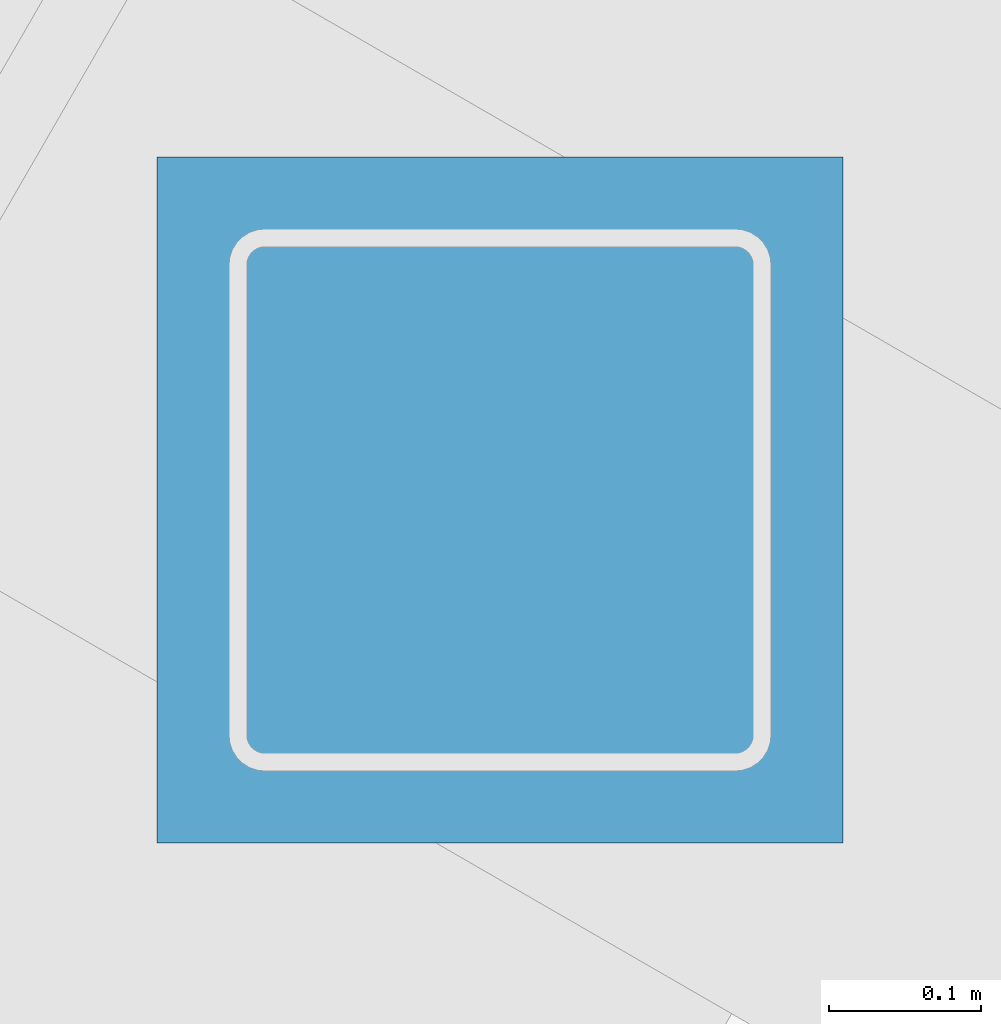
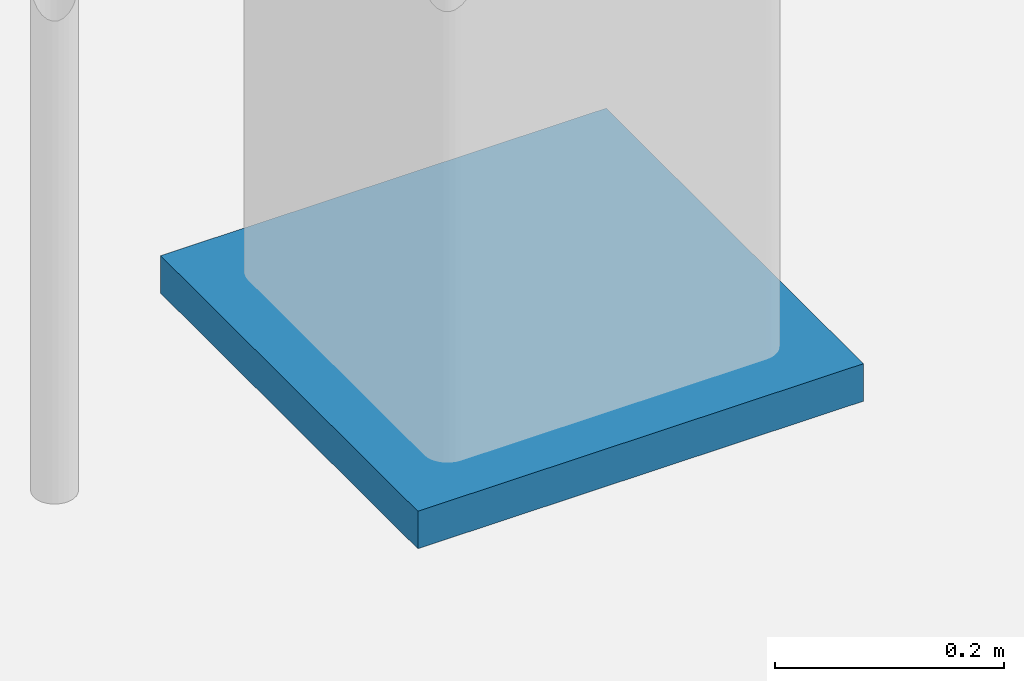
# One storey, part 16 of 20: 1 discrete accessory.
"""IFC4 building model written with IfcOpenShell, lengths in metres."""

import ifcopenshell
import ifcopenshell.guid

model = None  # the IFC model being written
_history = None  # IfcOwnerHistory: only IFC2X3 demands one
_inside = {}  # id of a spatial element -> (the spatial element, [elements in it])
_under = {}  # id of a project, library or spatial element -> (it, [spatial elements below it])
_declared = {}  # id of a project -> (the project, [libraries it declares])
_typed = {}  # id of a type object -> (the type object, [elements of that type])
_made_of = {}  # id of a material, layer set ... -> (it, [elements and type objects made of it])


def new_model(schema):
    """Start an empty IFC model of exactly this schema.

    Asked for "IFC4X3", IfcOpenShell would pick the latest addendum, in which some entities
    have other attributes; the version numbers below select the first issue.
    IFC2X3 requires an IfcOwnerHistory on every rooted entity: one is made here for all.
    """
    global model, _history
    if schema == "IFC4X3":
        model = ifcopenshell.file(schema_version=(4, 3, 0, 0))
    else:
        model = ifcopenshell.file(schema=schema)
    _inside.clear()
    _under.clear()
    _declared.clear()
    _typed.clear()
    _made_of.clear()
    _history = None
    if model.schema == "IFC2X3":
        org = make("IfcOrganization", Name="unknown")
        user = make(
            "IfcPersonAndOrganization",
            ThePerson=make("IfcPerson", FamilyName="unknown"),
            TheOrganization=org,
        )
        app = make(
            "IfcApplication",
            ApplicationDeveloper=org,
            Version="unknown",
            ApplicationFullName="unknown",
            ApplicationIdentifier="unknown",
        )
        _history = make(
            "IfcOwnerHistory",
            OwningUser=user,
            OwningApplication=app,
            ChangeAction="ADDED",
            CreationDate=0,
        )
    return model


def make(cls, **values):
    """One entity of the class cls with the attributes given. An attribute that is None is left unset."""
    return model.create_entity(
        cls, **{name: value for name, value in values.items() if value is not None}
    )


def rooted(cls, **values):
    """An entity with a GlobalId (a new one), such as an element, a storey or a relation."""
    return make(cls, GlobalId=ifcopenshell.guid.new(), OwnerHistory=_history, **values)


def si_unit(unit_type, name, prefix=None):
    """IfcSIUnit, for example si_unit("LENGTHUNIT", "METRE", prefix="MILLI")."""
    return make("IfcSIUnit", UnitType=unit_type, Prefix=prefix, Name=name)


def assignment(units):
    """IfcUnitAssignment: the units of a project."""
    return None if units is None else make("IfcUnitAssignment", Units=units)


def point(xyz):
    """IfcCartesianPoint."""
    return None if xyz is None else make("IfcCartesianPoint", Coordinates=xyz)


def direction(xyz):
    """IfcDirection."""
    return None if xyz is None else make("IfcDirection", DirectionRatios=xyz)


def frame(location, z_axis=None, x_axis=None):
    """IfcAxis2Placement3D, a coordinate frame: its origin and axes. An axis left out is left unset."""
    return make(
        "IfcAxis2Placement3D",
        Location=point(location),
        Axis=direction(z_axis),
        RefDirection=direction(x_axis),
    )


def frame_2d(location, x_axis=None):
    """IfcAxis2Placement2D, a coordinate frame in the plane: its origin and x axis."""
    return make(
        "IfcAxis2Placement2D", Location=point(location), RefDirection=direction(x_axis)
    )


def origin():
    """The frame at (0, 0, 0) with its axes left unset."""
    return frame((0.0, 0.0, 0.0))


def origin_2d():
    """The frame at (0, 0) in the plane with its x axis left unset."""
    return frame_2d((0.0, 0.0))


def place(relative_to, where):
    """IfcLocalPlacement: puts the frame where relative to a parent placement (None: the world)."""
    return make(
        "IfcLocalPlacement", PlacementRelTo=relative_to, RelativePlacement=where
    )


def context(
    kind, dimensions, precision=None, world=None, true_north=None, identifier=None
):
    """IfcGeometricRepresentationContext, for example the 3D "Model" context."""
    return make(
        "IfcGeometricRepresentationContext",
        ContextIdentifier=identifier,
        ContextType=kind,
        CoordinateSpaceDimension=dimensions,
        Precision=precision,
        WorldCoordinateSystem=world,
        TrueNorth=true_north,
    )


def subcontext(parent, identifier, kind, view, scale=None):
    """IfcGeometricRepresentationSubContext, for example "Body" below "Model"."""
    return make(
        "IfcGeometricRepresentationSubContext",
        ContextIdentifier=identifier,
        ContextType=kind,
        ParentContext=parent,
        TargetScale=scale,
        TargetView=view,
    )


def project(units=None, contexts=None):
    """IfcProject with its units and contexts."""
    return rooted(
        "IfcProject",
        Name="project",
        RepresentationContexts=contexts,
        UnitsInContext=assignment(units),
    )


def spatial(cls, under=None, at=None, **own):
    """A site, building, storey or space (cls), placed at a placement, below another one or the project."""
    s = rooted(cls, ObjectPlacement=at, **own)
    if under is not None:
        _under.setdefault(under.id(), (under, []))[1].append(s)
    return s


def profile(cls, at=None, kind="AREA", **sizes):
    """A parametric profile (cls). Its sizes go by their IFC names, for example OverallWidth=200.0."""
    return make(cls, ProfileType=kind, Position=at, **sizes)


def rectangle(**sizes):
    """IfcRectangleProfileDef."""
    return profile("IfcRectangleProfileDef", **sizes)


def extrude(swept, where, along, depth):
    """IfcExtrudedAreaSolid: the profile swept, set in the frame where, extruded along a direction by depth."""
    return make(
        "IfcExtrudedAreaSolid",
        SweptArea=swept,
        Position=where,
        ExtrudedDirection=direction(along),
        Depth=depth,
    )


def shape(context_of_items, identifier, shape_type, items):
    """IfcShapeRepresentation: the items that make up one representation, for example the "Body"."""
    return make(
        "IfcShapeRepresentation",
        ContextOfItems=context_of_items,
        RepresentationIdentifier=identifier,
        RepresentationType=shape_type,
        Items=items,
    )


def material(Name=None, Category=None):
    """IfcMaterial."""
    return make("IfcMaterial", Name=Name, Category=Category)


def layer(
    of_material, thickness, ventilated=None, Name=None, Category=None, Priority=None
):
    """IfcMaterialLayer: one layer of a wall or slab, of a material (None: an air gap)."""
    return make(
        "IfcMaterialLayer",
        Material=of_material,
        LayerThickness=thickness,
        IsVentilated=ventilated,
        Name=Name,
        Category=Category,
        Priority=Priority,
    )


def layer_set(layers, Name=None):
    """IfcMaterialLayerSet."""
    return make("IfcMaterialLayerSet", MaterialLayers=layers, LayerSetName=Name)


def made_of(thing, what):
    """Note that an element or type object is made of a material, layer set ...; save() writes the relation."""
    if what is not None:
        _made_of.setdefault(what.id(), (what, []))[1].append(thing)
    return thing


def type_object(cls, material=None, **own):
    """A type object (cls), such as IfcWallType, which elements share."""
    return made_of(rooted(cls, **own), material)


def element(
    cls,
    number,
    at=None,
    inside=None,
    cuts=None,
    type_object=None,
    material=None,
    context=None,
    identifier="Body",
    shape_type=None,
    held_by="IfcProductDefinitionShape",
    body=None,
    shapes=None,
    **own,
):
    """One element of the class cls, such as IfcWall. Its Tag is "e" and its number.

    at: its placement. inside: the storey or other place that contains it. cuts: it is an
    opening in that element (IfcRelVoidsElement). A single representation is given by context,
    identifier, shape_type and body (its items); several are given by shapes. held_by: the class
    of the entity that holds the representations. save() writes the other relations.
    """
    e = rooted(cls, Tag="e%d" % number, ObjectPlacement=at, **own)
    if body is not None:
        shapes = [shape(context, identifier, shape_type, body)]
    if shapes is not None:
        e.Representation = make(held_by, Representations=shapes)
    if inside is not None:
        _inside.setdefault(inside.id(), (inside, []))[1].append(e)
    if cuts is not None:
        rooted(
            "IfcRelVoidsElement", RelatingBuildingElement=cuts, RelatedOpeningElement=e
        )
    if type_object is not None:
        _typed.setdefault(type_object.id(), (type_object, []))[1].append(e)
    return made_of(e, material)


def aggregate(whole, parts):
    """IfcRelAggregates: a whole, such as a stair, and the parts it consists of."""
    return rooted("IfcRelAggregates", RelatingObject=whole, RelatedObjects=parts)


def save(model, path):
    """Write the relations noted so far, then the file.

    IfcRelAggregates (storeys below a building ...), IfcRelContainedInSpatialStructure (elements
    in a storey), IfcRelDefinesByType, IfcRelAssociatesMaterial and IfcRelDeclares: one each for
    every whole, place, type object, material and project.
    """
    for whole, parts in _under.values():
        aggregate(whole, parts)
    for where, things in _inside.values():
        rooted(
            "IfcRelContainedInSpatialStructure",
            RelatedElements=things,
            RelatingStructure=where,
        )
    for kind, things in _typed.values():
        rooted("IfcRelDefinesByType", RelatedObjects=things, RelatingType=kind)
    for what, things in _made_of.values():
        rooted("IfcRelAssociatesMaterial", RelatedObjects=things, RelatingMaterial=what)
    for by, libraries in _declared.values():
        rooted("IfcRelDeclares", RelatingContext=by, RelatedDefinitions=libraries)
    model.write(path)


model = new_model("IFC4")

# Units and contexts
model_context = context("Model", 3, precision=1e-05, world=origin(), true_north=direction((0.0, 1.0)))
body_context = subcontext(model_context, "Body", "Model", "MODEL_VIEW")
ifc_project = project(units=[si_unit("LENGTHUNIT", "METRE"), si_unit("AREAUNIT", "SQUARE_METRE"), si_unit("VOLUMEUNIT", "CUBIC_METRE"), si_unit("PLANEANGLEUNIT", "RADIAN"), si_unit("MASSUNIT", "GRAM", prefix="KILO")], contexts=[model_context])

# Site, building, storey
site_placement = place(None, origin())
site = spatial("IfcSite", under=ifc_project, at=site_placement, CompositionType="ELEMENT")
building_placement = place(site_placement, origin())
building = spatial("IfcBuilding", under=site, at=building_placement, Name="Tramontana Tower", CompositionType="ELEMENT")
storey_placement = place(building_placement, frame((0.0, 0.0, 46.0)))
storey = spatial("IfcBuildingStorey", under=building, at=storey_placement, Name="L09", CompositionType="ELEMENT", Elevation=46.0)

# Discrete accessory
ifc_material = material(Name="Steel ASTM A572 Grade 50", Category="steel")
ifc_layer = layer(ifc_material, 0.0400390625)
ifc_layer_set = layer_set([ifc_layer], Name="Base plate 450X450X40")
discrete_accessory_type = type_object("IfcDiscreteAccessoryType", Name="Base plate 450X450X40", PredefinedType="ANCHORPLATE", material=ifc_layer_set)
discrete_accessory_placement = place(storey_placement, frame((-4.544677734375, 29.228515625, 0.0), z_axis=(0.0, 0.0, 1.0), x_axis=(1.0, 0.0, 0.0)))
element("IfcDiscreteAccessory", 1, at=discrete_accessory_placement, inside=storey, type_object=discrete_accessory_type, Name="Transfer truss post base plate C1K1.1", PredefinedType="ANCHORPLATE", context=body_context, shape_type="SweptSolid", body=[
    extrude(rectangle(XDim=0.449951171875, YDim=0.449951171875, at=origin_2d()), origin(), (0.0, 0.0, 1.0), 0.0400390625),
])

save(model, "model.ifc")
